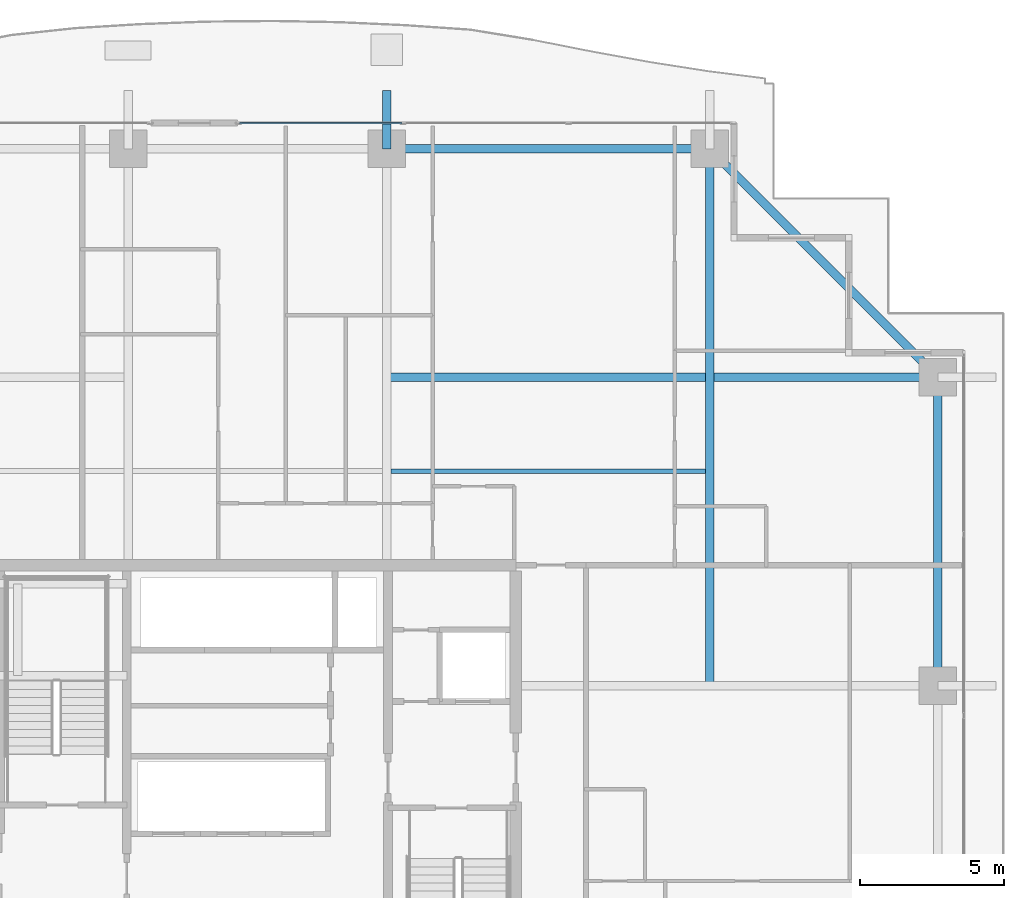
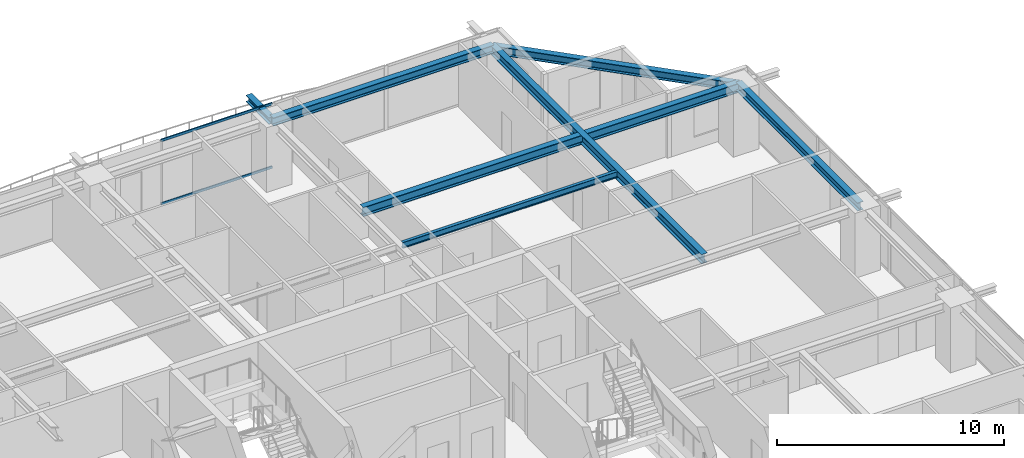
# One storey, part 22 of 37: 7 beams, 2 members, 1 element without a shape of its own.
"""IFC4 building model written with IfcOpenShell, lengths in metres."""

from ifc_helpers import new_model, si_unit, direction, frame, origin, origin_2d, place, context, subcontext, project, spatial, hollow_rectangle, i_section, extrude, source, transform, mapped, material, layer, layer_set, material_profile, profile_set, type_object, element, aggregate, save


model = new_model("IFC4")

# Units and contexts
model_context = context("Model", 3, precision=1e-05, world=origin(), true_north=direction((0.0, 1.0)))
body_context = subcontext(model_context, "Body", "Model", "MODEL_VIEW")
ifc_project = project(units=[si_unit("LENGTHUNIT", "METRE"), si_unit("AREAUNIT", "SQUARE_METRE"), si_unit("VOLUMEUNIT", "CUBIC_METRE"), si_unit("PLANEANGLEUNIT", "RADIAN"), si_unit("MASSUNIT", "GRAM", prefix="KILO")], contexts=[model_context])

# Site, building, storey
site_placement = place(None, origin())
site = spatial("IfcSite", under=ifc_project, at=site_placement, CompositionType="ELEMENT")
building_placement = place(site_placement, origin())
building = spatial("IfcBuilding", under=site, at=building_placement, Name="Serunith Strait Residences", CompositionType="ELEMENT")
storey_placement = place(building_placement, frame((0.0, 0.0, 153.89990234375)))
storey = spatial("IfcBuildingStorey", under=building, at=storey_placement, Name="L38", CompositionType="ELEMENT", Elevation=153.89990234375)

# Beams
ifc_material_1 = material(Name="Steel S355J2", Category="steel")
ifc_material_profile_1 = material_profile(ifc_material_1, i_section(OverallWidth=0.300048828125, OverallDepth=0.5, WebThickness=0.014404296875, FlangeThickness=0.028076171875, FilletRadius=0.027099609375, at=origin_2d()), Name="HEB 500")
ifc_profile_set_1 = profile_set([ifc_material_profile_1], Name="Steel S355J2")
beam_type_1 = type_object("IfcBeamType", Name="BM-HEB500", PredefinedType="BEAM", material=ifc_profile_set_1)
shared_shape_1 = source(origin(), body_context, "Body", "SweptSolid", [
    extrude(i_section(OverallWidth=0.300048828125, OverallDepth=0.5, WebThickness=0.014404296875, FlangeThickness=0.028076171875, FilletRadius=0.027099609375, at=origin_2d()), origin(), (0.0, 0.0, 1.0), 18.7001953125),
])
beam_1_placement = place(storey_placement, frame((48.14990234375, 29.39990234375, 3.237060546875), z_axis=(0.0, 1.0, 0.0), x_axis=(-1.0, 0.0, 0.0)))
element("IfcBeam", 1, at=beam_1_placement, inside=storey, type_object=beam_type_1, Name="L38 Orthogonal Corner Girder TC-N4", PredefinedType="BEAM", context=body_context, shape_type="MappedRepresentation", body=[
    mapped(shared_shape_1, transform((0.0, 0.0, 0.0), scale=1.0)),
])
shared_shape_2 = source(origin(), body_context, "Body", "SweptSolid", [
    extrude(i_section(OverallWidth=0.300048828125, OverallDepth=0.5, WebThickness=0.014404296875, FlangeThickness=0.028076171875, FilletRadius=0.027099609375, at=origin_2d()), origin(), (0.0, 0.0, 1.0), 19.2001953125),
])
beam_2_placement = place(storey_placement, frame((36.89990234375, 40.14990234375, 3.237060546875), z_axis=(1.0, 0.0, 0.0), x_axis=(0.0, 1.0, 0.0)))
element("IfcBeam", 2, at=beam_2_placement, inside=storey, type_object=beam_type_1, Name="L38 Orthogonal Corner Girder TC-E4", PredefinedType="BEAM", context=body_context, shape_type="MappedRepresentation", body=[
    mapped(shared_shape_2, transform((0.0, 0.0, 0.0), scale=1.0)),
])
ifc_material_profile_2 = material_profile(ifc_material_1, i_section(OverallWidth=0.300048828125, OverallDepth=0.449951171875, WebThickness=0.013916015625, FlangeThickness=0.02587890625, FilletRadius=0.027099609375, at=origin_2d()), Name="HEB 450")
ifc_profile_set_2 = profile_set([ifc_material_profile_2], Name="Steel S355J2")
beam_type_2 = type_object("IfcBeamType", Name="BM-HEB450", PredefinedType="BEAM", material=ifc_profile_set_2)
shared_shape_3 = source(origin(), body_context, "Body", "SweptSolid", [
    extrude(i_section(OverallWidth=0.300048828125, OverallDepth=0.449951171875, WebThickness=0.013916015625, FlangeThickness=0.02587890625, FilletRadius=0.027099609375, at=origin_2d()), origin(), (0.0, 0.0, 1.0), 11.25),
])
beam_3_placement = place(storey_placement, frame((48.14990234375, 48.10009765625, 3.26220703125), z_axis=(-1.0, 0.0, 0.0), x_axis=(0.0, -1.0, 0.0)))
element("IfcBeam", 3, at=beam_3_placement, inside=storey, type_object=beam_type_2, Name="L38 Perimeter Ring Beam 09", PredefinedType="BEAM", context=body_context, shape_type="MappedRepresentation", body=[
    mapped(shared_shape_3, transform((0.0, 0.0, 0.0), scale=1.0)),
])
shared_shape_4 = source(origin(), body_context, "Body", "SweptSolid", [
    extrude(i_section(OverallWidth=0.300048828125, OverallDepth=0.449951171875, WebThickness=0.013916015625, FlangeThickness=0.02587890625, FilletRadius=0.027099609375, at=origin_2d()), origin(), (0.0, 0.0, 1.0), 11.2431640625),
])
beam_4_placement = place(storey_placement, frame((56.10009765625, 40.14990234375, 3.232177734375), z_axis=(-0.707106781187, 0.707106781187, 0.0), x_axis=(-0.707106781187, -0.707106781187, 0.0)))
element("IfcBeam", 4, at=beam_4_placement, inside=storey, type_object=beam_type_2, Name="L38 Perimeter Ring Beam 08", PredefinedType="BEAM", context=body_context, shape_type="MappedRepresentation", body=[
    mapped(shared_shape_4, transform((0.0, 0.0, 0.0), scale=1.0)),
])
shared_shape_5 = source(origin(), body_context, "Body", "SweptSolid", [
    extrude(i_section(OverallWidth=0.300048828125, OverallDepth=0.449951171875, WebThickness=0.013916015625, FlangeThickness=0.02587890625, FilletRadius=0.027099609375, at=origin_2d()), origin(), (0.0, 0.0, 1.0), 10.75),
])
beam_5_placement = place(storey_placement, frame((56.10009765625, 29.39990234375, 3.26220703125), z_axis=(0.0, 1.0, 0.0), x_axis=(-1.0, 0.0, 0.0)))
element("IfcBeam", 5, at=beam_5_placement, inside=storey, type_object=beam_type_2, Name="L38 Perimeter Ring Beam 07", PredefinedType="BEAM", context=body_context, shape_type="MappedRepresentation", body=[
    mapped(shared_shape_5, transform((0.0, 0.0, 0.0), scale=1.0)),
])
ifc_material_profile_3 = material_profile(ifc_material_1, i_section(OverallWidth=0.300048828125, OverallDepth=0.360107421875, WebThickness=0.012451171875, FlangeThickness=0.0224609375, FilletRadius=0.027099609375, at=origin_2d()), Name="HEB 360")
ifc_profile_set_3 = profile_set([ifc_material_profile_3], Name="Steel S355J2")
beam_type_3 = type_object("IfcBeamType", Name="BM-HEB360", PredefinedType="BEAM", material=ifc_profile_set_3)
shared_shape_6 = source(origin(), body_context, "Body", "SweptSolid", [
    extrude(i_section(OverallWidth=0.300048828125, OverallDepth=0.360107421875, WebThickness=0.012451171875, FlangeThickness=0.0224609375, FilletRadius=0.027099609375, at=origin_2d()), origin(), (0.0, 0.0, 1.0), 2.02978515625),
])
beam_6_placement = place(storey_placement, frame((36.89990234375, 48.10009765625, 3.277099609375), z_axis=(0.0, 1.0, 0.0), x_axis=(-1.0, 0.0, 0.0)))
element("IfcBeam", 6, at=beam_6_placement, inside=storey, type_object=beam_type_3, Name="L39 Cantilevered Balcony Rib TC-N3", PredefinedType="BEAM", context=body_context, shape_type="MappedRepresentation", body=[
    mapped(shared_shape_6, transform((0.0, 0.0, 0.0), scale=1.0)),
])
ifc_material_profile_4 = material_profile(ifc_material_1, i_section(OverallWidth=0.159912109375, OverallDepth=0.330078125, WebThickness=0.007568359375, FlangeThickness=0.011474609375, FilletRadius=0.01806640625, at=origin_2d()), Name="IPE 330")
ifc_profile_set_4 = profile_set([ifc_material_profile_4], Name="Steel S355J2")
beam_type_4 = type_object("IfcBeamType", Name="BM-IPE330", PredefinedType="JOIST", material=ifc_profile_set_4)
shared_shape_7 = source(origin(), body_context, "Body", "SweptSolid", [
    extrude(i_section(OverallWidth=0.159912109375, OverallDepth=0.330078125, WebThickness=0.007568359375, FlangeThickness=0.011474609375, FilletRadius=0.01806640625, at=origin_2d()), origin(), (0.0, 0.0, 1.0), 10.949951171875),
])
beam_7_placement = place(storey_placement, frame((37.050048828125, 36.875, 3.322021484375), z_axis=(1.0, 0.0, 0.0), x_axis=(0.0, 1.0, 0.0)))
element("IfcBeam", 7, at=beam_7_placement, inside=storey, type_object=beam_type_4, Name="L38 Composite Floor Joist 06", PredefinedType="JOIST", context=body_context, shape_type="MappedRepresentation", body=[
    mapped(shared_shape_7, transform((0.0, 0.0, 0.0), scale=1.0)),
])

# Curtain wall, members
ifc_material_2 = material(Name="Pale-Champagne Anodised Aluminium", Category="aluminium")
ifc_layer = layer(ifc_material_2, 0.199951171875, Name="Pale-Champagne Anodised Aluminium")
ifc_layer_set = layer_set([ifc_layer], Name="Pale-Champagne Anodised Aluminium")
curtain_wall_type = type_object("IfcCurtainWallType", Name="CW-SYS2", PredefinedType="NOTDEFINED", material=ifc_layer_set)
curtain_wall_placement = place(storey_placement, origin())
curtain_wall = element("IfcCurtainWall", 8, at=curtain_wall_placement, inside=storey, type_object=curtain_wall_type, Name="L38 N Unitised Fritted Curtain Wall", PredefinedType="NOTDEFINED")
ifc_material_profile_5 = material_profile(ifc_material_2, hollow_rectangle(XDim=0.06005859375, YDim=0.139892578125, WallThickness=0.00341796875, InnerFilletRadius=0.00537109375, OuterFilletRadius=0.0087890625, at=origin_2d()), Name="ALU 140x60x3.5")
ifc_profile_set_5 = profile_set([ifc_material_profile_5], Name="Pale-Champagne Anodised Aluminium")
member_type = type_object("IfcMemberType", Name="CW-SYS2-TRAN", PredefinedType="USERDEFINED", material=ifc_profile_set_5)
shared_shape_8 = source(origin(), body_context, "Body", "SweptSolid", [
    extrude(hollow_rectangle(XDim=0.06005859375, YDim=0.139892578125, WallThickness=0.00341796875, InnerFilletRadius=0.00537109375, OuterFilletRadius=0.0087890625, at=origin_2d()), origin(), (0.0, 0.0, 1.0), 5.66162109375),
])
member_1_placement = place(storey_placement, frame((37.431640625, 49.0, 0.030029296875), z_axis=(-1.0, 0.0, 0.0), x_axis=(0.0, -1.0, 0.0)))
member_1 = element("IfcMember", 9, at=member_1_placement, type_object=member_type, Name="CW-2 transom 3.1", ObjectType="TRANSOM", PredefinedType="USERDEFINED", context=body_context, shape_type="MappedRepresentation", body=[
    mapped(shared_shape_8, transform((0.0, 0.0, 0.0), scale=1.0)),
])
member_2_placement = place(storey_placement, frame((37.431640625, 49.0, 3.445068359375), z_axis=(-1.0, 0.0, 0.0), x_axis=(0.0, -1.0, 0.0)))
member_2 = element("IfcMember", 10, at=member_2_placement, type_object=member_type, Name="CW-2 transom 3.2", ObjectType="TRANSOM", PredefinedType="USERDEFINED", context=body_context, shape_type="MappedRepresentation", body=[
    mapped(shared_shape_8, transform((0.0, 0.0, 0.0), scale=1.0)),
])
aggregate(curtain_wall, [member_1, member_2])

save(model, "model.ifc")
